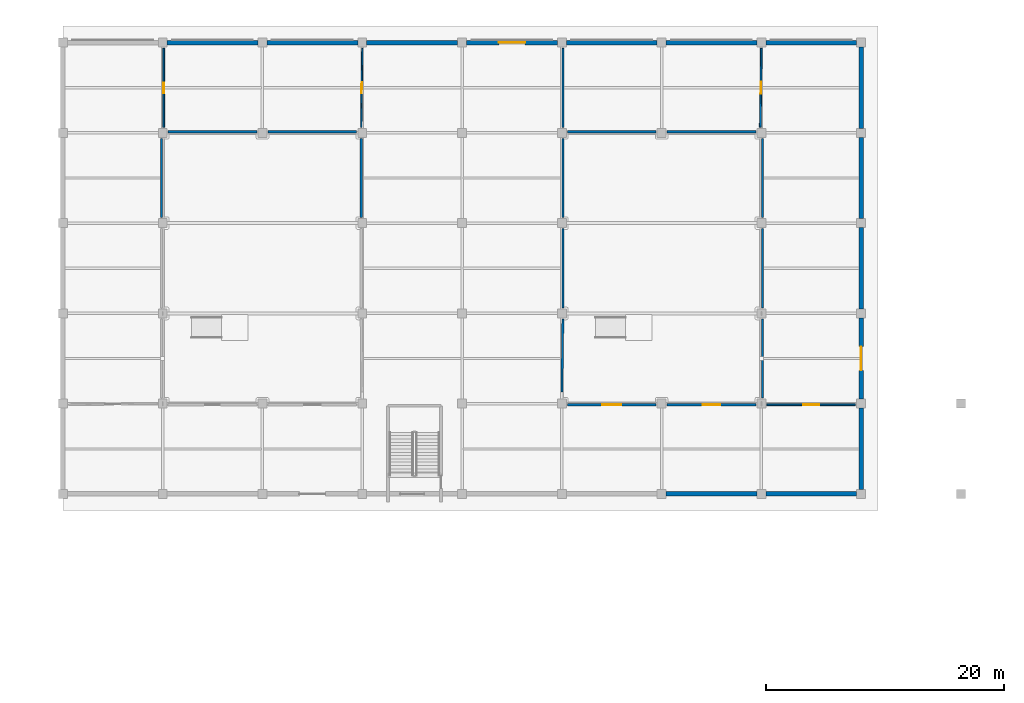
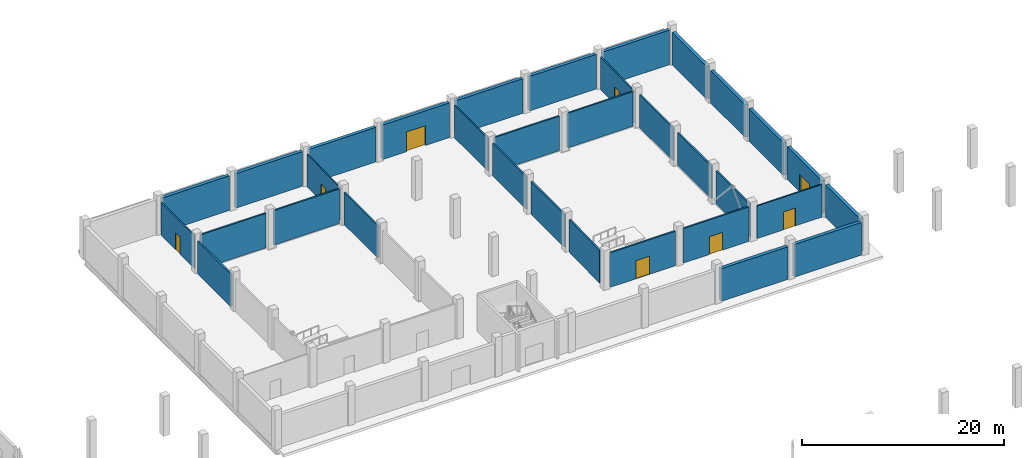
# One storey, part 23 of 36: 33 walls, 8 doors, 8 openings.
"""IFC4 building model written with IfcOpenShell, lengths in metres."""

from ifc_helpers import new_model, si_unit, direction, frame, frame_2d, origin, place, context, subcontext, project, spatial, rectangle, extrude, material, layer, layer_set, type_object, element, fill, save


model = new_model("IFC4")

# Units and contexts
model_context = context("Model", 3, precision=1e-05, world=origin(), true_north=direction((0.0, 1.0)))
body_context = subcontext(model_context, "Body", "Model", "MODEL_VIEW")
ifc_project = project(units=[si_unit("LENGTHUNIT", "METRE"), si_unit("AREAUNIT", "SQUARE_METRE"), si_unit("VOLUMEUNIT", "CUBIC_METRE"), si_unit("PLANEANGLEUNIT", "RADIAN"), si_unit("MASSUNIT", "GRAM", prefix="KILO")], contexts=[model_context])

# Site, building, storey
site_placement = place(None, origin())
site = spatial("IfcSite", under=ifc_project, at=site_placement, CompositionType="ELEMENT")
building_placement = place(site_placement, origin())
building = spatial("IfcBuilding", under=site, at=building_placement, Name="Zuvorla Pavilion Media Centre", CompositionType="ELEMENT")
storey_placement = place(building_placement, origin())
storey = spatial("IfcBuildingStorey", under=building, at=storey_placement, Name="L00", CompositionType="ELEMENT", Elevation=0.0)

# Walls
ifc_material_1 = material(Name="Dark charcoal terracotta concrete C40/50", Category="masonry")
ifc_layer_1 = layer(ifc_material_1, 0.3798828125)
ifc_layer_set_1 = layer_set([ifc_layer_1], Name="Dark charcoal terracotta concrete C40/50")
wall_type_1 = type_object("IfcWallType", Name="WL-EXT-380", PredefinedType="SOLIDWALL", material=ifc_layer_set_1)
wall_1_placement = place(storey_placement, frame((117.574951171875, 82.0, 0.0), z_axis=(0.0, 0.0, 1.0), x_axis=(1.0, 0.0, 0.0)))
element("IfcWall", 1, at=wall_1_placement, inside=storey, type_object=wall_type_1, Name="L00 exterior solid wall EW01 100", PredefinedType="SOLIDWALL", context=body_context, shape_type="SweptSolid", body=[
    extrude(rectangle(XDim=7.650146484375, YDim=0.3798828125, at=frame_2d((3.8251953125, 0.0))), origin(), (0.0, 0.0, 1.0), 3.9501953125),
])
wall_2_placement = place(storey_placement, frame((125.97509765625, 82.0, 0.0), z_axis=(0.0, 0.0, 1.0), x_axis=(1.0, 0.0, 0.0)))
element("IfcWall", 2, at=wall_2_placement, inside=storey, type_object=wall_type_1, Name="L00 exterior solid wall EW01 101", PredefinedType="SOLIDWALL", context=body_context, shape_type="SweptSolid", body=[
    extrude(rectangle(XDim=7.64990234375, YDim=0.3798828125, at=frame_2d((3.824951171875, 0.0))), origin(), (0.0, 0.0, 1.0), 3.9501953125),
])
wall_3_placement = place(storey_placement, frame((134.0, 82.375, 0.0), z_axis=(0.0, 0.0, 1.0), x_axis=(0.0, 1.0, 0.0)))
element("IfcWall", 3, at=wall_3_placement, inside=storey, type_object=wall_type_1, Name="L00 exterior solid wall EW01 102", PredefinedType="SOLIDWALL", context=body_context, shape_type="SweptSolid", body=[
    extrude(rectangle(XDim=6.85009765625, YDim=0.3798828125, at=frame_2d((3.425048828125, 0.0))), origin(), (0.0, 0.0, 1.0), 3.9501953125),
])

# Wall, opening, door
wall_4_placement = place(storey_placement, frame((134.0, 89.97509765625, 0.0), z_axis=(0.0, 0.0, 1.0), x_axis=(0.0, 1.0, 0.0)))
wall_4 = element("IfcWall", 4, at=wall_4_placement, inside=storey, type_object=wall_type_1, Name="L00 exterior solid wall EW01 103", PredefinedType="SOLIDWALL", context=body_context, shape_type="SweptSolid", body=[
    extrude(rectangle(XDim=6.849853515625, YDim=0.3798828125, at=frame_2d((3.4248046875, 0.0))), origin(), (0.0, 0.0, 1.0), 3.9501953125),
])
opening_1_placement = place(wall_4_placement, frame((2.425048828125, 0.0, 0.0)))
opening_1 = element("IfcOpeningElement", 5, at=opening_1_placement, cuts=wall_4, Name="Opening GT02", PredefinedType="OPENING", context=body_context, shape_type="SweptSolid", body=[
    extrude(rectangle(XDim=2.0, YDim=2.10009765625, at=frame_2d((1.0, 1.050048828125))), frame((0.0, 0.199951171875, 0.0), z_axis=(0.0, -1.0, 0.0), x_axis=(1.0, 0.0, 0.0)), (0.0, 0.0, 1.0), 0.39990234375),
])
ifc_material_2 = material(Name="Architectural powder-coated steel service gate", Category="steel")
door_type_1 = type_object("IfcDoorType", Name="DR-GAT-200x210", OperationType="NOTDEFINED", PredefinedType="GATE", material=ifc_material_2)
door_1_placement = place(opening_1_placement, frame((2.0, 0.0, 0.0), z_axis=(0.0, 0.0, 1.0), x_axis=(-1.0, 0.0, 0.0)))
door_1 = element("IfcDoor", 6, at=door_1_placement, inside=storey, type_object=door_type_1, Name="Exterior Exit Door DR-EXT-L00-014", OperationType="DOUBLE_DOOR_SINGLE_SWING", OverallHeight=2.10009765625, OverallWidth=2.0, PredefinedType="GATE", context=body_context, shape_type="SweptSolid", body=[
    extrude(rectangle(XDim=2.0, YDim=2.10009765625, at=frame_2d((1.0, 1.050048828125))), frame((0.0, 0.02490234375, 0.0), z_axis=(0.0, -1.0, 0.0), x_axis=(1.0, 0.0, 0.0)), (0.0, 0.0, 1.0), 0.050048828125),
])
fill(opening_1, door_1)

# Walls
wall_5_placement = place(storey_placement, frame((134.0, 97.574951171875, 0.0), z_axis=(0.0, 0.0, 1.0), x_axis=(0.0, 1.0, 0.0)))
element("IfcWall", 7, at=wall_5_placement, inside=storey, type_object=wall_type_1, Name="L00 exterior solid wall EW01 104", PredefinedType="SOLIDWALL", context=body_context, shape_type="SweptSolid", body=[
    extrude(rectangle(XDim=6.85009765625, YDim=0.3798828125, at=frame_2d((3.425048828125, 0.0))), origin(), (0.0, 0.0, 1.0), 3.9501953125),
])
wall_6_placement = place(storey_placement, frame((134.0, 105.175048828125, 0.0), z_axis=(0.0, 0.0, 1.0), x_axis=(0.0, 1.0, 0.0)))
element("IfcWall", 8, at=wall_6_placement, inside=storey, type_object=wall_type_1, Name="L00 exterior solid wall EW01 105", PredefinedType="SOLIDWALL", context=body_context, shape_type="SweptSolid", body=[
    extrude(rectangle(XDim=6.849853515625, YDim=0.3798828125, at=frame_2d((3.4248046875, 0.0))), origin(), (0.0, 0.0, 1.0), 3.9501953125),
])
wall_7_placement = place(storey_placement, frame((134.0, 112.77490234375, 0.0), z_axis=(0.0, 0.0, 1.0), x_axis=(0.0, 1.0, 0.0)))
element("IfcWall", 9, at=wall_7_placement, inside=storey, type_object=wall_type_1, Name="L00 exterior solid wall EW01 106", PredefinedType="SOLIDWALL", context=body_context, shape_type="SweptSolid", body=[
    extrude(rectangle(XDim=6.85009765625, YDim=0.3798828125, at=frame_2d((3.425048828125, 0.0))), origin(), (0.0, 0.0, 1.0), 3.9501953125),
])
wall_8_placement = place(storey_placement, frame((133.625, 120.0, 0.0), z_axis=(0.0, 0.0, 1.0), x_axis=(-1.0, 0.0, 0.0)))
element("IfcWall", 10, at=wall_8_placement, inside=storey, type_object=wall_type_1, Name="L00 exterior solid wall EW01 107", PredefinedType="SOLIDWALL", context=body_context, shape_type="SweptSolid", body=[
    extrude(rectangle(XDim=7.64990234375, YDim=0.3798828125, at=frame_2d((3.824951171875, 0.0))), origin(), (0.0, 0.0, 1.0), 4.18701171875),
])
wall_9_placement = place(storey_placement, frame((125.22509765625, 120.0, 0.0), z_axis=(0.0, 0.0, 1.0), x_axis=(-1.0, 0.0, 0.0)))
element("IfcWall", 11, at=wall_9_placement, inside=storey, type_object=wall_type_1, Name="L00 exterior solid wall EW01 108", PredefinedType="SOLIDWALL", context=body_context, shape_type="SweptSolid", body=[
    extrude(rectangle(XDim=7.650146484375, YDim=0.3798828125, at=frame_2d((3.8251953125, 0.0))), origin(), (0.0, 0.0, 1.0), 4.18701171875),
])
wall_10_placement = place(storey_placement, frame((116.824951171875, 120.0, 0.0), z_axis=(0.0, 0.0, 1.0), x_axis=(-1.0, 0.0, 0.0)))
element("IfcWall", 12, at=wall_10_placement, inside=storey, type_object=wall_type_1, Name="L00 exterior solid wall EW01 109", PredefinedType="SOLIDWALL", context=body_context, shape_type="SweptSolid", body=[
    extrude(rectangle(XDim=7.64990234375, YDim=0.3798828125, at=frame_2d((3.824951171875, 0.0))), origin(), (0.0, 0.0, 1.0), 4.18701171875),
])

# Wall, opening, door
wall_11_placement = place(storey_placement, frame((108.425048828125, 120.0, 0.0), z_axis=(0.0, 0.0, 1.0), x_axis=(-1.0, 0.0, 0.0)))
wall_11 = element("IfcWall", 13, at=wall_11_placement, inside=storey, type_object=wall_type_1, Name="L00 exterior solid wall EW01 110", PredefinedType="SOLIDWALL", context=body_context, shape_type="SweptSolid", body=[
    extrude(rectangle(XDim=7.650146484375, YDim=0.3798828125, at=frame_2d((3.8251953125, 0.0))), origin(), (0.0, 0.0, 1.0), 4.18701171875),
])
opening_2_placement = place(wall_11_placement, frame((2.72509765625, 0.0, 0.0)))
opening_2 = element("IfcOpeningElement", 14, at=opening_2_placement, cuts=wall_11, Name="Opening ED02", PredefinedType="OPENING", context=body_context, shape_type="SweptSolid", body=[
    extrude(rectangle(XDim=2.199951171875, YDim=2.39990234375, at=frame_2d((1.10009765625, 1.199951171875))), frame((0.0, 0.199951171875, 0.0), z_axis=(0.0, -1.0, 0.0), x_axis=(1.0, 0.0, 0.0)), (0.0, 0.0, 1.0), 0.39990234375),
])
ifc_material_3 = material(Name="Anodised aluminium glazed exit door", Category="aluminium")
door_type_2 = type_object("IfcDoorType", Name="DR-EXT-220x240", OperationType="NOTDEFINED", PredefinedType="DOOR", material=ifc_material_3)
door_2_placement = place(opening_2_placement, frame((2.199951171875, 0.0, 0.0), z_axis=(0.0, 0.0, 1.0), x_axis=(-1.0, 0.0, 0.0)))
door_2 = element("IfcDoor", 15, at=door_2_placement, inside=storey, type_object=door_type_2, Name="Exterior Exit Door DR-EXT-L00-015", OperationType="DOUBLE_DOOR_SINGLE_SWING", OverallHeight=2.39990234375, OverallWidth=2.199951171875, PredefinedType="DOOR", context=body_context, shape_type="SweptSolid", body=[
    extrude(rectangle(XDim=2.199951171875, YDim=2.39990234375, at=frame_2d((1.10009765625, 1.199951171875))), frame((0.0, 0.02490234375, 0.0), z_axis=(0.0, -1.0, 0.0), x_axis=(1.0, 0.0, 0.0)), (0.0, 0.0, 1.0), 0.050048828125),
])
fill(opening_2, door_2)

# Walls
for number, where, z_axis, x_axis, name in (
    (16, (100.02490234375, 120.0, 0.0), (0.0, 0.0, 1.0), (-1.0, 0.0, 0.0), "L00 exterior solid wall EW01 111"),
    (17, (91.625, 120.0, 0.0), (0.0, 0.0, 1.0), (-1.0, 0.0, 0.0), "L00 exterior solid wall EW01 112"),
):
    element("IfcWall", number, at=place(storey_placement, frame(where, z_axis=z_axis, x_axis=x_axis)), inside=storey, type_object=wall_type_1, Name=name, PredefinedType="SOLIDWALL", context=body_context, shape_type="SweptSolid", body=[
        extrude(rectangle(XDim=7.64990234375, YDim=0.3798828125, at=frame_2d((3.824951171875, 0.0))), origin(), (0.0, 0.0, 1.0), 4.18701171875),
    ])
wall_12_placement = place(storey_placement, frame((83.22509765625, 120.0, 0.0), z_axis=(0.0, 0.0, 1.0), x_axis=(-1.0, 0.0, 0.0)))
element("IfcWall", 18, at=wall_12_placement, inside=storey, type_object=wall_type_1, Name="L00 exterior solid wall EW01 113", PredefinedType="SOLIDWALL", context=body_context, shape_type="SweptSolid", body=[
    extrude(rectangle(XDim=7.650146484375, YDim=0.3798828125, at=frame_2d((3.8251953125, 0.0))), origin(), (0.0, 0.0, 1.0), 4.18701171875),
])

# Wall, opening, door
ifc_material_4 = material(Name="Lightweight gypsum partition")
ifc_layer_2 = layer(ifc_material_4, 0.1201171875)
ifc_layer_set_2 = layer_set([ifc_layer_2], Name="Lightweight gypsum partition")
wall_type_2 = type_object("IfcWallType", Name="WL-PRT-120", PredefinedType="PARTITIONING", material=ifc_layer_set_2)
wall_13_placement = place(storey_placement, frame((91.998779296875, 119.52001953125, 0.0), z_axis=(0.0, 0.0, 1.0), x_axis=(-0.013168820212, -0.999913287328, 0.0)))
wall_13 = element("IfcWall", 19, at=wall_13_placement, inside=storey, type_object=wall_type_2, Name="L00 partition PT12 438", PredefinedType="PARTITIONING", context=body_context, shape_type="SweptSolid", body=[
    extrude(rectangle(XDim=6.655517578125, YDim=0.1201171875, at=frame_2d((3.32763671875, 0.0))), origin(), (0.0, 0.0, 1.0), 3.9501953125),
])
opening_3_placement = place(wall_13_placement, frame((2.867919921875, 0.0, 0.0)))
opening_3 = element("IfcOpeningElement", 20, at=opening_3_placement, cuts=wall_13, Name="Opening ID02", PredefinedType="OPENING", context=body_context, shape_type="SweptSolid", body=[
    extrude(rectangle(XDim=0.919921875, YDim=2.080078125, at=frame_2d((0.4599609375, 1.0400390625))), frame((0.0, 0.070068359375, 0.0), z_axis=(0.0, -1.0, 0.0), x_axis=(1.0, 0.0, 0.0)), (0.0, 0.0, 1.0), 0.14013671875),
])
ifc_material_5 = material(Name="Hardwood acoustic studio door in anodised frame", Category="wood")
door_type_3 = type_object("IfcDoorType", Name="DR-UNR-ID02", OperationType="NOTDEFINED", PredefinedType="DOOR", material=ifc_material_5)
door_3_placement = place(opening_3_placement, origin())
door_3 = element("IfcDoor", 21, at=door_3_placement, inside=storey, type_object=door_type_3, Name="Interior door ID02 177", OperationType="SINGLE_SWING_RIGHT", OverallHeight=2.080078125, OverallWidth=0.919921875, PredefinedType="DOOR", context=body_context, shape_type="SweptSolid", body=[
    extrude(rectangle(XDim=0.919921875, YDim=2.080078125, at=frame_2d((0.4599609375, 1.0400390625))), frame((0.0, 0.02490234375, 0.0), z_axis=(0.0, -1.0, 0.0), x_axis=(1.0, 0.0, 0.0)), (0.0, 0.0, 1.0), 0.050048828125),
])
fill(opening_3, door_3)

ifc_material_6 = material(Name="Acoustic gypsum stud partition")
ifc_layer_3 = layer(ifc_material_6, 0.14990234375)
ifc_layer_set_3 = layer_set([ifc_layer_3], Name="Acoustic gypsum stud partition")
wall_type_3 = type_object("IfcWallType", Name="WL-PRT-150", PredefinedType="PARTITIONING", material=ifc_layer_set_3)
wall_14_placement = place(storey_placement, frame((126.06494140625, 89.510009765625, 0.0), z_axis=(0.0, 0.0, 1.0), x_axis=(1.0, 0.0, 0.0)))
wall_14 = element("IfcWall", 22, at=wall_14_placement, inside=storey, type_object=wall_type_3, Name="L00 partition PT15 397", PredefinedType="PARTITIONING", context=body_context, shape_type="SweptSolid", body=[
    extrude(rectangle(XDim=7.455078125, YDim=0.14990234375, at=frame_2d((3.7275390625, 0.0))), origin(), (0.0, 0.0, 1.0), 3.9501953125),
])
opening_4_placement = place(wall_14_placement, frame((3.052490234375, 0.0, 0.0)))
opening_4 = element("IfcOpeningElement", 23, at=opening_4_placement, cuts=wall_14, Name="Opening ID08", PredefinedType="OPENING", context=body_context, shape_type="SweptSolid", body=[
    extrude(rectangle(XDim=1.35009765625, YDim=2.179931640625, at=frame_2d((0.675048828125, 1.08984375))), frame((0.0, 0.0849609375, 0.0), z_axis=(0.0, -1.0, 0.0), x_axis=(1.0, 0.0, 0.0)), (0.0, 0.0, 1.0), 0.169921875),
])
door_type_4 = type_object("IfcDoorType", Name="DR-UNR-ID08", OperationType="NOTDEFINED", PredefinedType="DOOR", material=ifc_material_5)
door_4_placement = place(opening_4_placement, origin())
door_4 = element("IfcDoor", 24, at=door_4_placement, inside=storey, type_object=door_type_4, Name="Interior door ID08 141", OperationType="DOUBLE_DOOR_SINGLE_SWING", OverallHeight=2.179931640625, OverallWidth=1.35009765625, PredefinedType="DOOR", context=body_context, shape_type="SweptSolid", body=[
    extrude(rectangle(XDim=1.35009765625, YDim=2.179931640625, at=frame_2d((0.675048828125, 1.08984375))), frame((0.0, 0.02490234375, 0.0), z_axis=(0.0, -1.0, 0.0), x_axis=(1.0, 0.0, 0.0)), (0.0, 0.0, 1.0), 0.050048828125),
])
fill(opening_4, door_4)

wall_15_placement = place(storey_placement, frame((75.2900390625, 112.864990234375, 0.0), z_axis=(0.0, 0.0, 1.0), x_axis=(0.0, 1.0, 0.0)))
wall_15 = element("IfcWall", 25, at=wall_15_placement, inside=storey, type_object=wall_type_3, Name="L00 partition PT15 435", PredefinedType="PARTITIONING", context=body_context, shape_type="SweptSolid", body=[
    extrude(rectangle(XDim=6.655029296875, YDim=0.14990234375, at=frame_2d((3.32763671875, 0.0))), origin(), (0.0, 0.0, 1.0), 3.9501953125),
])
opening_5_placement = place(wall_15_placement, frame((2.887451171875, 0.0, 0.0)))
opening_5 = element("IfcOpeningElement", 26, at=opening_5_placement, cuts=wall_15, Name="Opening ID01", PredefinedType="OPENING", context=body_context, shape_type="SweptSolid", body=[
    extrude(rectangle(XDim=0.8798828125, YDim=2.080078125, at=frame_2d((0.43994140625, 1.0400390625))), frame((0.0, 0.0849609375, 0.0), z_axis=(0.0, -1.0, 0.0), x_axis=(1.0, 0.0, 0.0)), (0.0, 0.0, 1.0), 0.169921875),
])
door_type_5 = type_object("IfcDoorType", Name="DR-UNR-ID01", OperationType="NOTDEFINED", PredefinedType="DOOR", material=ifc_material_5)
door_5_placement = place(opening_5_placement, origin())
door_5 = element("IfcDoor", 27, at=door_5_placement, inside=storey, type_object=door_type_5, Name="Interior door ID01 176", OperationType="SINGLE_SWING_LEFT", OverallHeight=2.080078125, OverallWidth=0.8798828125, PredefinedType="DOOR", context=body_context, shape_type="SweptSolid", body=[
    extrude(rectangle(XDim=0.8798828125, YDim=2.080078125, at=frame_2d((0.43994140625, 1.0400390625))), frame((0.0, 0.02490234375, 0.0), z_axis=(0.0, -1.0, 0.0), x_axis=(1.0, 0.0, 0.0)), (0.0, 0.0, 1.0), 0.050048828125),
])
fill(opening_5, door_5)

wall_16_placement = place(storey_placement, frame((125.598876953125, 119.52001953125, 0.0), z_axis=(0.0, 0.0, 1.0), x_axis=(-0.013205495774, -0.999912803639, 0.0)))
wall_16 = element("IfcWall", 28, at=wall_16_placement, inside=storey, type_object=wall_type_3, Name="L00 partition PT15 439", PredefinedType="PARTITIONING", context=body_context, shape_type="SweptSolid", body=[
    extrude(rectangle(XDim=6.655517578125, YDim=0.14990234375, at=frame_2d((3.32763671875, 0.0))), origin(), (0.0, 0.0, 1.0), 3.9501953125),
])
opening_6_placement = place(wall_16_placement, frame((2.837890625, 0.0, 0.0)))
opening_6 = element("IfcOpeningElement", 29, at=opening_6_placement, cuts=wall_16, Name="Opening ID03", PredefinedType="OPENING", context=body_context, shape_type="SweptSolid", body=[
    extrude(rectangle(XDim=0.97998046875, YDim=2.080078125, at=frame_2d((0.489990234375, 1.0400390625))), frame((0.0, 0.0849609375, 0.0), z_axis=(0.0, -1.0, 0.0), x_axis=(1.0, 0.0, 0.0)), (0.0, 0.0, 1.0), 0.169921875),
])
door_type_6 = type_object("IfcDoorType", Name="DR-UNR-ID03", OperationType="NOTDEFINED", PredefinedType="DOOR", material=ifc_material_5)
door_6_placement = place(opening_6_placement, origin())
door_6 = element("IfcDoor", 30, at=door_6_placement, inside=storey, type_object=door_type_6, Name="Interior door ID03 178", OperationType="SINGLE_SWING_LEFT", OverallHeight=2.080078125, OverallWidth=0.97998046875, PredefinedType="DOOR", context=body_context, shape_type="SweptSolid", body=[
    extrude(rectangle(XDim=0.97998046875, YDim=2.080078125, at=frame_2d((0.489990234375, 1.0400390625))), frame((0.0, 0.02490234375, 0.0), z_axis=(0.0, -1.0, 0.0), x_axis=(1.0, 0.0, 0.0)), (0.0, 0.0, 1.0), 0.050048828125),
])
fill(opening_6, door_6)

# Wall
wall_17_placement = place(storey_placement, frame((108.889892578125, 112.864990234375, 0.0), z_axis=(0.0, 0.0, 1.0), x_axis=(0.0, 1.0, 0.0)))
element("IfcWall", 31, at=wall_17_placement, inside=storey, type_object=wall_type_3, Name="L00 partition PT15 442", PredefinedType="PARTITIONING", context=body_context, shape_type="SweptSolid", body=[
    extrude(rectangle(XDim=6.655029296875, YDim=0.14990234375, at=frame_2d((3.32763671875, 0.0))), origin(), (0.0, 0.0, 1.0), 3.9501953125),
])

# Wall, opening, door
ifc_material_7 = material(Name="Double acoustic gypsum stud partition")
ifc_layer_4 = layer(ifc_material_7, 0.179931640625)
ifc_layer_set_4 = layer_set([ifc_layer_4], Name="Double acoustic gypsum stud partition")
wall_type_4 = type_object("IfcWallType", Name="WL-PRT-180", PredefinedType="PARTITIONING", material=ifc_layer_set_4)
wall_18_placement = place(storey_placement, frame((117.6650390625, 89.510009765625, 0.0), z_axis=(0.0, 0.0, 1.0), x_axis=(1.0, 0.0, 0.0)))
wall_18 = element("IfcWall", 32, at=wall_18_placement, inside=storey, type_object=wall_type_4, Name="L00 partition PT18 400", PredefinedType="PARTITIONING", context=body_context, shape_type="SweptSolid", body=[
    extrude(rectangle(XDim=7.469970703125, YDim=0.179931640625, at=frame_2d((3.73486328125, 0.0))), origin(), (0.0, 0.0, 1.0), 4.18701171875),
])
opening_7_placement = place(wall_18_placement, frame((2.985107421875, 0.0, 0.0)))
opening_7 = element("IfcOpeningElement", 33, at=opening_7_placement, cuts=wall_18, Name="Opening FD08", PredefinedType="OPENING", context=body_context, shape_type="SweptSolid", body=[
    extrude(rectangle(XDim=1.5, YDim=2.14990234375, at=frame_2d((0.75, 1.074951171875))), frame((0.0, 0.099853515625, 0.0), z_axis=(0.0, -1.0, 0.0), x_axis=(1.0, 0.0, 0.0)), (0.0, 0.0, 1.0), 0.199951171875),
])
ifc_material_8 = material(Name="Acoustic timber fire door leaf in steel frame", Category="steel")
door_type_7 = type_object("IfcDoorType", Name="DR-INT-FD08", OperationType="NOTDEFINED", PredefinedType="DOOR", material=ifc_material_8)
door_7_placement = place(opening_7_placement, origin())
door_7 = element("IfcDoor", 34, at=door_7_placement, inside=storey, type_object=door_type_7, Name="Interior door FD08 144", OperationType="DOUBLE_DOOR_SINGLE_SWING", OverallHeight=2.14990234375, OverallWidth=1.5, PredefinedType="DOOR", context=body_context, shape_type="SweptSolid", body=[
    extrude(rectangle(XDim=1.5, YDim=2.14990234375, at=frame_2d((0.75, 1.074951171875))), frame((0.0, 0.02490234375, 0.0), z_axis=(0.0, -1.0, 0.0), x_axis=(1.0, 0.0, 0.0)), (0.0, 0.0, 1.0), 0.050048828125),
])
fill(opening_7, door_7)

wall_19_placement = place(storey_placement, frame((109.264892578125, 89.510009765625, 0.0), z_axis=(0.0, 0.0, 1.0), x_axis=(1.0, 0.0, 0.0)))
wall_19 = element("IfcWall", 35, at=wall_19_placement, inside=storey, type_object=wall_type_4, Name="L00 partition PT18 401", PredefinedType="PARTITIONING", context=body_context, shape_type="SweptSolid", body=[
    extrude(rectangle(XDim=7.47021484375, YDim=0.179931640625, at=frame_2d((3.735107421875, 0.0))), origin(), (0.0, 0.0, 1.0), 4.18701171875),
])
opening_8_placement = place(wall_19_placement, frame((2.93505859375, 0.0, 0.0)))
opening_8 = element("IfcOpeningElement", 36, at=opening_8_placement, cuts=wall_19, Name="Opening FD09", PredefinedType="OPENING", context=body_context, shape_type="SweptSolid", body=[
    extrude(rectangle(XDim=1.60009765625, YDim=2.199951171875, at=frame_2d((0.800048828125, 1.10009765625))), frame((0.0, 0.099853515625, 0.0), z_axis=(0.0, -1.0, 0.0), x_axis=(1.0, 0.0, 0.0)), (0.0, 0.0, 1.0), 0.199951171875),
])
door_type_8 = type_object("IfcDoorType", Name="DR-INT-FD09", OperationType="NOTDEFINED", PredefinedType="DOOR", material=ifc_material_8)
door_8_placement = place(opening_8_placement, origin())
door_8 = element("IfcDoor", 37, at=door_8_placement, inside=storey, type_object=door_type_8, Name="Interior door FD09 145", OperationType="DOUBLE_DOOR_SINGLE_SWING", OverallHeight=2.199951171875, OverallWidth=1.60009765625, PredefinedType="DOOR", context=body_context, shape_type="SweptSolid", body=[
    extrude(rectangle(XDim=1.60009765625, YDim=2.199951171875, at=frame_2d((0.800048828125, 1.10009765625))), frame((0.0, 0.02490234375, 0.0), z_axis=(0.0, -1.0, 0.0), x_axis=(1.0, 0.0, 0.0)), (0.0, 0.0, 1.0), 0.050048828125),
])
fill(opening_8, door_8)

# Walls
for number, where, z_axis, x_axis, name in (
    (38, (83.135009765625, 112.489990234375, 0.0), (0.0, 0.0, 1.0), (-1.0, 0.0, 0.0), "L00 partition PT18 436"),
    (39, (91.534912109375, 112.489990234375, 0.0), (0.0, 0.0, 1.0), (-1.0, 0.0, 0.0), "L00 partition PT18 437"),
    (40, (125.135009765625, 112.489990234375, 0.0), (0.0, 0.0, 1.0), (-1.0, 0.0, 0.0), "L00 partition PT18 440"),
):
    element("IfcWall", number, at=place(storey_placement, frame(where, z_axis=z_axis, x_axis=x_axis)), inside=storey, type_object=wall_type_4, Name=name, PredefinedType="PARTITIONING", context=body_context, shape_type="SweptSolid", body=[
        extrude(rectangle(XDim=7.469970703125, YDim=0.179931640625, at=frame_2d((3.73486328125, 0.0))), origin(), (0.0, 0.0, 1.0), 4.18701171875),
    ])
wall_20_placement = place(storey_placement, frame((116.735107421875, 112.489990234375, 0.0), z_axis=(0.0, 0.0, 1.0), x_axis=(-1.0, 0.0, 0.0)))
element("IfcWall", 41, at=wall_20_placement, inside=storey, type_object=wall_type_4, Name="L00 partition PT18 441", PredefinedType="PARTITIONING", context=body_context, shape_type="SweptSolid", body=[
    extrude(rectangle(XDim=7.47021484375, YDim=0.179931640625, at=frame_2d((3.735107421875, 0.0))), origin(), (0.0, 0.0, 1.0), 4.18701171875),
])
wall_21_placement = place(storey_placement, frame((75.110107421875, 111.93505859375, 0.0), z_axis=(0.0, 0.0, 1.0), x_axis=(0.0, -1.0, 0.0)))
element("IfcWall", 42, at=wall_21_placement, inside=storey, type_object=wall_type_4, Name="L00 partition PT18 451", PredefinedType="PARTITIONING", context=body_context, shape_type="SweptSolid", body=[
    extrude(rectangle(XDim=6.670166015625, YDim=0.179931640625, at=frame_2d((3.3349609375, 0.0))), origin(), (0.0, 0.0, 1.0), 3.9501953125),
])
wall_22_placement = place(storey_placement, frame((125.68994140625, 97.6650390625, 0.0), z_axis=(0.0, 0.0, 1.0), x_axis=(0.0, 1.0, 0.0)))
element("IfcWall", 43, at=wall_22_placement, inside=storey, type_object=wall_type_4, Name="L00 partition PT18 453", PredefinedType="PARTITIONING", context=body_context, shape_type="SweptSolid", body=[
    extrude(rectangle(XDim=6.669921875, YDim=0.179931640625, at=frame_2d((3.3349609375, 0.0))), origin(), (0.0, 0.0, 1.0), 3.9501953125),
])
for number, where, z_axis, x_axis, name in (
    (44, (125.68994140625, 105.264892578125, 0.0), (0.0, 0.0, 1.0), (0.0, 1.0, 0.0), "L00 partition PT18 454"),
    (45, (125.68994140625, 90.06494140625, 0.0), (0.0, 0.0, 1.0), (0.0, 1.0, 0.0), "L00 partition PT18 455"),
    (46, (91.909912109375, 111.93505859375, 0.0), (0.0, 0.0, 1.0), (0.0, -1.0, 0.0), "L00 partition PT18 457"),
):
    element("IfcWall", number, at=place(storey_placement, frame(where, z_axis=z_axis, x_axis=x_axis)), inside=storey, type_object=wall_type_4, Name=name, PredefinedType="PARTITIONING", context=body_context, shape_type="SweptSolid", body=[
        extrude(rectangle(XDim=6.670166015625, YDim=0.179931640625, at=frame_2d((3.3349609375, 0.0))), origin(), (0.0, 0.0, 1.0), 3.9501953125),
    ])
wall_23_placement = place(storey_placement, frame((108.889892578125, 97.6650390625, 0.0), z_axis=(0.0, 0.0, 1.0), x_axis=(0.0, 1.0, 0.0)))
element("IfcWall", 47, at=wall_23_placement, inside=storey, type_object=wall_type_4, Name="L00 partition PT18 459", PredefinedType="PARTITIONING", context=body_context, shape_type="SweptSolid", body=[
    extrude(rectangle(XDim=6.669921875, YDim=0.179931640625, at=frame_2d((3.3349609375, 0.0))), origin(), (0.0, 0.0, 1.0), 3.9501953125),
])
wall_24_placement = place(storey_placement, frame((108.889892578125, 105.264892578125, 0.0), z_axis=(0.0, 0.0, 1.0), x_axis=(0.0, 1.0, 0.0)))
element("IfcWall", 48, at=wall_24_placement, inside=storey, type_object=wall_type_4, Name="L00 partition PT18 460", PredefinedType="PARTITIONING", context=body_context, shape_type="SweptSolid", body=[
    extrude(rectangle(XDim=6.670166015625, YDim=0.179931640625, at=frame_2d((3.3349609375, 0.0))), origin(), (0.0, 0.0, 1.0), 3.9501953125),
])
wall_25_placement = place(storey_placement, frame((108.801025390625, 90.58056640625, 0.0), z_axis=(0.0, 0.0, 1.0), x_axis=(0.014279158124, 0.999898047624, 0.0)))
element("IfcWall", 49, at=wall_25_placement, inside=storey, type_object=wall_type_4, Name="L00 partition PT18 461", PredefinedType="PARTITIONING", context=body_context, shape_type="SweptSolid", body=[
    extrude(rectangle(XDim=6.1552734375, YDim=0.179931640625, at=frame_2d((3.07763671875, 0.0))), origin(), (0.0, 0.0, 1.0), 3.9501953125),
])

save(model, "model.ifc")
